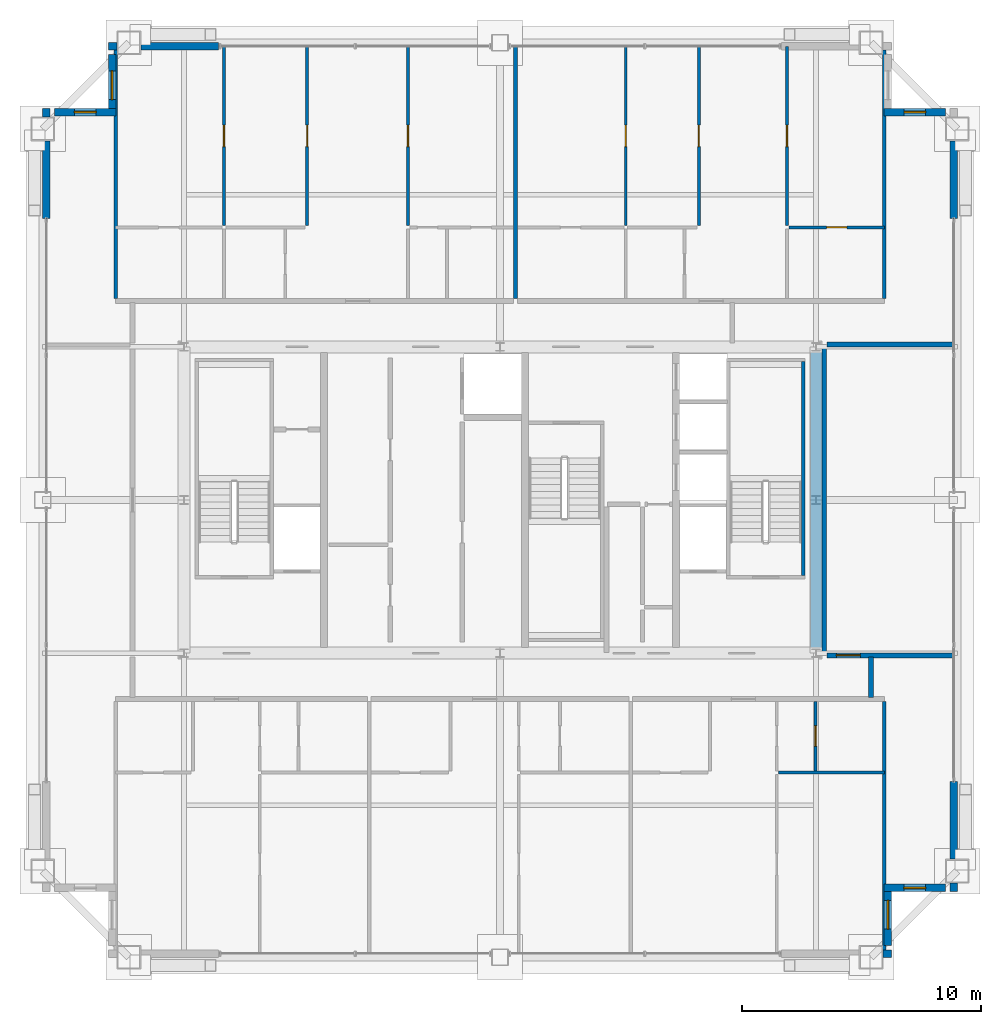
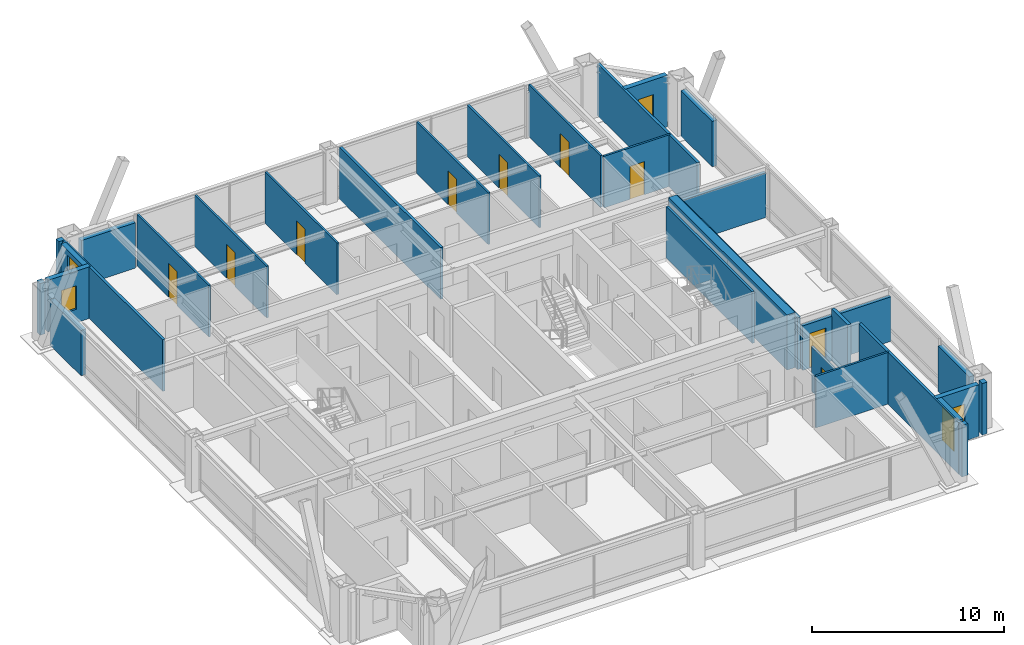
# One storey, part 33 of 35: 32 walls, 9 doors, 5 windows, 14 openings.
"""IFC4 building model written with IfcOpenShell, lengths in metres."""

from ifc_helpers import new_model, si_unit, direction, frame, frame_2d, origin, place, context, subcontext, project, spatial, rectangle, extrude, source, transform, mapped, material, layer, layer_set, type_object, element, fill, save


model = new_model("IFC4")

# Units and contexts
model_context = context("Model", 3, precision=1e-05, world=origin(), true_north=direction((0.0, 1.0)))
body_context = subcontext(model_context, "Body", "Model", "MODEL_VIEW")
ifc_project = project(units=[si_unit("LENGTHUNIT", "METRE"), si_unit("AREAUNIT", "SQUARE_METRE"), si_unit("VOLUMEUNIT", "CUBIC_METRE"), si_unit("PLANEANGLEUNIT", "RADIAN"), si_unit("MASSUNIT", "GRAM", prefix="KILO"), si_unit("THERMODYNAMICTEMPERATUREUNIT", "KELVIN"), si_unit("POWERUNIT", "WATT")], contexts=[model_context])

# Site, building, storey
site_placement = place(None, origin())
site = spatial("IfcSite", under=ifc_project, at=site_placement, CompositionType="ELEMENT")
building_placement = place(site_placement, origin())
building = spatial("IfcBuilding", under=site, at=building_placement, Name="Yuzanri Waterfront Tower", CompositionType="ELEMENT")
storey_placement = place(building_placement, frame((0.0, 0.0, 285.60009765625)))
storey = spatial("IfcBuildingStorey", under=building, at=storey_placement, Name="L76", CompositionType="ELEMENT", Elevation=285.60009765625)

# Wall, opening, door
ifc_material_1 = material(Name="Moisture-Resistant Gypsum Stud Wall", Category="gypsum")
ifc_layer_1 = layer(ifc_material_1, 0.1201171875)
ifc_layer_set_1 = layer_set([ifc_layer_1], Name="Moisture-Resistant Gypsum Stud Wall")
wall_type_1 = type_object("IfcWallType", Name="Bathroom and Kitchen Wet Partition 120", PredefinedType="PARTITIONING", material=ifc_layer_set_1)
wall_1_placement = place(storey_placement, frame((50.179931640625, 14.489990234375, 0.0), z_axis=(0.0, 0.0, 1.0), x_axis=(0.0, 1.0, 0.0)))
wall_1 = element("IfcWall", 1, at=wall_1_placement, inside=storey, type_object=wall_type_1, Name="L76 Partition UW-L76-HS3-SUB-2-W", PredefinedType="PARTITIONING", context=body_context, shape_type="SweptSolid", body=[
    extrude(rectangle(XDim=2.89990234375, YDim=0.1201171875, at=frame_2d((1.449951171875, 0.0))), origin(), (0.0, 0.0, 1.0), 2.824951171875),
])
opening_1_placement = place(wall_1_placement, frame((1.02490234375, 0.0, 0.0)))
opening_1 = element("IfcOpeningElement", 2, at=opening_1_placement, cuts=wall_1, Name="Opening ID-0850", PredefinedType="OPENING", context=body_context, shape_type="SweptSolid", body=[
    extrude(rectangle(XDim=0.85009765625, YDim=2.10009765625, at=frame_2d((0.425048828125, 1.050048828125))), frame((0.0, 0.074951171875, 0.0), z_axis=(0.0, -1.0, 0.0), x_axis=(1.0, 0.0, 0.0)), (0.0, 0.0, 1.0), 0.14990234375),
])
ifc_material_2 = material(Name="Moisture-Resistant Lacquered Timber", Category="wood")
door_type_1 = type_object("IfcDoorType", Name="En-Suite Bathroom and Kitchen Swing Door 850x2100", OperationType="NOTDEFINED", PredefinedType="DOOR", material=ifc_material_2)
shared_shape_1 = source(origin(), body_context, "Body", "SweptSolid", [
    extrude(rectangle(XDim=0.85009765625, YDim=2.10009765625, at=frame_2d((0.425048828125, 1.050048828125))), frame((0.0, 0.02490234375, 0.0), z_axis=(0.0, -1.0, 0.0), x_axis=(1.0, 0.0, 0.0)), (0.0, 0.0, 1.0), 0.050048828125),
])
door_1_placement = place(opening_1_placement, origin())
door_1 = element("IfcDoor", 3, at=door_1_placement, inside=storey, type_object=door_type_1, Name="L76 Suite Interior Room Door", OperationType="SINGLE_SWING_RIGHT", OverallHeight=2.10009765625, OverallWidth=0.85009765625, PredefinedType="DOOR", context=body_context, shape_type="MappedRepresentation", body=[
    mapped(shared_shape_1, transform((0.0, 0.0, 0.0), scale=1.0)),
])
fill(opening_1, door_1)

wall_2_placement = place(storey_placement, frame((25.469970703125, 37.27001953125, 0.0), z_axis=(0.0, 0.0, 1.0), x_axis=(0.0, 1.0, 0.0)))
wall_2 = element("IfcWall", 4, at=wall_2_placement, inside=storey, type_object=wall_type_1, Name="L76 Partition UW-L76-HN1-SUB-5-E", PredefinedType="PARTITIONING", context=body_context, shape_type="SweptSolid", body=[
    extrude(rectangle(XDim=7.47998046875, YDim=0.1201171875, at=frame_2d((3.739990234375, 0.0))), origin(), (0.0, 0.0, 1.0), 3.27978515625),
])
opening_2_placement = place(wall_2_placement, frame((3.2900390625, 0.0, 0.0)))
opening_2 = element("IfcOpeningElement", 5, at=opening_2_placement, cuts=wall_2, Name="Opening ID-0900", PredefinedType="OPENING", context=body_context, shape_type="SweptSolid", body=[
    extrude(rectangle(XDim=0.89990234375, YDim=2.14990234375, at=frame_2d((0.449951171875, 1.074951171875))), frame((0.0, 0.074951171875, 0.0), z_axis=(0.0, -1.0, 0.0), x_axis=(1.0, 0.0, 0.0)), (0.0, 0.0, 1.0), 0.14990234375),
])
ifc_material_3 = material(Name="Stained Walnut Veneer Timber", Category="wood")
door_type_2 = type_object("IfcDoorType", Name="Bedroom and Study Interior Swing Door 900x2150", OperationType="NOTDEFINED", PredefinedType="DOOR", material=ifc_material_3)
shared_shape_2 = source(origin(), body_context, "Body", "SweptSolid", [
    extrude(rectangle(XDim=0.89990234375, YDim=2.14990234375, at=frame_2d((0.449951171875, 1.074951171875))), frame((0.0, 0.02490234375, 0.0), z_axis=(0.0, -1.0, 0.0), x_axis=(1.0, 0.0, 0.0)), (0.0, 0.0, 1.0), 0.050048828125),
])
door_2_placement = place(opening_2_placement, origin())
door_2 = element("IfcDoor", 6, at=door_2_placement, inside=storey, type_object=door_type_2, Name="L76 Suite Interior Room Door", OperationType="SINGLE_SWING_RIGHT", OverallHeight=2.14990234375, OverallWidth=0.89990234375, PredefinedType="DOOR", context=body_context, shape_type="MappedRepresentation", body=[
    mapped(shared_shape_2, transform((0.0, 0.0, 0.0), scale=1.0)),
])
fill(opening_2, door_2)

wall_3_placement = place(storey_placement, frame((33.159912109375, 37.27001953125, 0.0), z_axis=(0.0, 0.0, 1.0), x_axis=(0.0, 1.0, 0.0)))
wall_3 = element("IfcWall", 7, at=wall_3_placement, inside=storey, type_object=wall_type_1, Name="L76 Partition UW-L76-HN1-SUB-6-W", PredefinedType="PARTITIONING", context=body_context, shape_type="SweptSolid", body=[
    extrude(rectangle(XDim=7.47998046875, YDim=0.1201171875, at=frame_2d((3.739990234375, 0.0))), origin(), (0.0, 0.0, 1.0), 3.27978515625),
])
opening_3_placement = place(wall_3_placement, frame((3.2900390625, 0.0, 0.0)))
opening_3 = element("IfcOpeningElement", 8, at=opening_3_placement, cuts=wall_3, Name="Opening ID-0900", PredefinedType="OPENING", context=body_context, shape_type="SweptSolid", body=[
    extrude(rectangle(XDim=0.89990234375, YDim=2.14990234375, at=frame_2d((0.449951171875, 1.074951171875))), frame((0.0, 0.074951171875, 0.0), z_axis=(0.0, -1.0, 0.0), x_axis=(1.0, 0.0, 0.0)), (0.0, 0.0, 1.0), 0.14990234375),
])
door_3_placement = place(opening_3_placement, origin())
door_3 = element("IfcDoor", 9, at=door_3_placement, inside=storey, type_object=door_type_2, Name="L76 Suite Interior Room Door", OperationType="SINGLE_SWING_LEFT", OverallHeight=2.14990234375, OverallWidth=0.89990234375, PredefinedType="DOOR", context=body_context, shape_type="MappedRepresentation", body=[
    mapped(shared_shape_2, transform((0.0, 0.0, 0.0), scale=1.0)),
])
fill(opening_3, door_3)

wall_4_placement = place(storey_placement, frame((28.943115234375, 37.27001953125, 0.0), z_axis=(0.0, 0.0, 1.0), x_axis=(0.0, 1.0, 0.0)))
wall_4 = element("IfcWall", 10, at=wall_4_placement, inside=storey, type_object=wall_type_1, Name="L76 Partition UW-L76-HN1-SUB-7-E", PredefinedType="PARTITIONING", context=body_context, shape_type="SweptSolid", body=[
    extrude(rectangle(XDim=7.47998046875, YDim=0.1201171875, at=frame_2d((3.739990234375, 0.0))), origin(), (0.0, 0.0, 1.0), 3.27978515625),
])
opening_4_placement = place(wall_4_placement, frame((3.2900390625, 0.0, 0.0)))
opening_4 = element("IfcOpeningElement", 11, at=opening_4_placement, cuts=wall_4, Name="Opening ID-0900", PredefinedType="OPENING", context=body_context, shape_type="SweptSolid", body=[
    extrude(rectangle(XDim=0.89990234375, YDim=2.14990234375, at=frame_2d((0.449951171875, 1.074951171875))), frame((0.0, 0.074951171875, 0.0), z_axis=(0.0, -1.0, 0.0), x_axis=(1.0, 0.0, 0.0)), (0.0, 0.0, 1.0), 0.14990234375),
])
door_4_placement = place(opening_4_placement, origin())
door_4 = element("IfcDoor", 12, at=door_4_placement, inside=storey, type_object=door_type_2, Name="L76 Suite Interior Room Door", OperationType="SINGLE_SWING_RIGHT", OverallHeight=2.14990234375, OverallWidth=0.89990234375, PredefinedType="DOOR", context=body_context, shape_type="MappedRepresentation", body=[
    mapped(shared_shape_2, transform((0.0, 0.0, 0.0), scale=1.0)),
])
fill(opening_4, door_4)

wall_5_placement = place(storey_placement, frame((49.072021484375, 37.18994140625, 0.0), z_axis=(0.0, 0.0, 1.0), x_axis=(1.0, 0.0, 0.0)))
wall_5 = element("IfcWall", 13, at=wall_5_placement, inside=storey, type_object=wall_type_1, Name="L76 Partition UW-L76-HN2-SUB-3-N", PredefinedType="PARTITIONING", context=body_context, shape_type="SweptSolid", body=[
    extrude(rectangle(XDim=3.988037109375, YDim=0.1201171875, at=frame_2d((1.994140625, 0.0))), origin(), (0.0, 0.0, 1.0), 3.27978515625),
])
opening_5_placement = place(wall_5_placement, frame((1.569091796875, 0.0, 0.0)))
opening_5 = element("IfcOpeningElement", 14, at=opening_5_placement, cuts=wall_5, Name="Opening ID-0850", PredefinedType="OPENING", context=body_context, shape_type="SweptSolid", body=[
    extrude(rectangle(XDim=0.85009765625, YDim=2.10009765625, at=frame_2d((0.425048828125, 1.050048828125))), frame((0.0, 0.074951171875, 0.0), z_axis=(0.0, -1.0, 0.0), x_axis=(1.0, 0.0, 0.0)), (0.0, 0.0, 1.0), 0.14990234375),
])
door_5_placement = place(opening_5_placement, origin())
door_5 = element("IfcDoor", 15, at=door_5_placement, inside=storey, type_object=door_type_1, Name="L76 Suite Interior Room Door", OperationType="SINGLE_SWING_RIGHT", OverallHeight=2.10009765625, OverallWidth=0.85009765625, PredefinedType="DOOR", context=body_context, shape_type="MappedRepresentation", body=[
    mapped(shared_shape_1, transform((0.0, 0.0, 0.0), scale=1.0)),
])
fill(opening_5, door_5)

wall_6_placement = place(storey_placement, frame((42.251953125, 37.27001953125, 0.0), z_axis=(0.0, 0.0, 1.0), x_axis=(0.0, 1.0, 0.0)))
wall_6 = element("IfcWall", 16, at=wall_6_placement, inside=storey, type_object=wall_type_1, Name="L76 Partition UW-L76-HN2-SUB-4-E", PredefinedType="PARTITIONING", context=body_context, shape_type="SweptSolid", body=[
    extrude(rectangle(XDim=7.47998046875, YDim=0.1201171875, at=frame_2d((3.739990234375, 0.0))), origin(), (0.0, 0.0, 1.0), 3.27978515625),
])
opening_6_placement = place(wall_6_placement, frame((3.2900390625, 0.0, 0.0)))
opening_6 = element("IfcOpeningElement", 17, at=opening_6_placement, cuts=wall_6, Name="Opening ID-0900", PredefinedType="OPENING", context=body_context, shape_type="SweptSolid", body=[
    extrude(rectangle(XDim=0.89990234375, YDim=2.14990234375, at=frame_2d((0.449951171875, 1.074951171875))), frame((0.0, 0.074951171875, 0.0), z_axis=(0.0, -1.0, 0.0), x_axis=(1.0, 0.0, 0.0)), (0.0, 0.0, 1.0), 0.14990234375),
])
door_6_placement = place(opening_6_placement, origin())
door_6 = element("IfcDoor", 18, at=door_6_placement, inside=storey, type_object=door_type_2, Name="L76 Suite Interior Room Door", OperationType="SINGLE_SWING_LEFT", OverallHeight=2.14990234375, OverallWidth=0.89990234375, PredefinedType="DOOR", context=body_context, shape_type="MappedRepresentation", body=[
    mapped(shared_shape_2, transform((0.0, 0.0, 0.0), scale=1.0)),
])
fill(opening_6, door_6)

wall_7_placement = place(storey_placement, frame((48.991943359375, 37.27001953125, 0.0), z_axis=(0.0, 0.0, 1.0), x_axis=(0.0, 1.0, 0.0)))
wall_7 = element("IfcWall", 19, at=wall_7_placement, inside=storey, type_object=wall_type_1, Name="L76 Partition UW-L76-HN2-SUB-5-W", PredefinedType="PARTITIONING", context=body_context, shape_type="SweptSolid", body=[
    extrude(rectangle(XDim=7.47998046875, YDim=0.1201171875, at=frame_2d((3.739990234375, 0.0))), origin(), (0.0, 0.0, 1.0), 3.27978515625),
])
opening_7_placement = place(wall_7_placement, frame((3.2900390625, 0.0, 0.0)))
opening_7 = element("IfcOpeningElement", 20, at=opening_7_placement, cuts=wall_7, Name="Opening ID-0900", PredefinedType="OPENING", context=body_context, shape_type="SweptSolid", body=[
    extrude(rectangle(XDim=0.89990234375, YDim=2.14990234375, at=frame_2d((0.449951171875, 1.074951171875))), frame((0.0, 0.074951171875, 0.0), z_axis=(0.0, -1.0, 0.0), x_axis=(1.0, 0.0, 0.0)), (0.0, 0.0, 1.0), 0.14990234375),
])
door_7_placement = place(opening_7_placement, origin())
door_7 = element("IfcDoor", 21, at=door_7_placement, inside=storey, type_object=door_type_2, Name="L76 Suite Interior Room Door", OperationType="SINGLE_SWING_RIGHT", OverallHeight=2.14990234375, OverallWidth=0.89990234375, PredefinedType="DOOR", context=body_context, shape_type="MappedRepresentation", body=[
    mapped(shared_shape_2, transform((0.0, 0.0, 0.0), scale=1.0)),
])
fill(opening_7, door_7)

wall_8_placement = place(storey_placement, frame((45.306884765625, 37.27001953125, 0.0), z_axis=(0.0, 0.0, 1.0), x_axis=(0.0, 1.0, 0.0)))
wall_8 = element("IfcWall", 22, at=wall_8_placement, inside=storey, type_object=wall_type_1, Name="L76 Partition UW-L76-HN2-SUB-6-E", PredefinedType="PARTITIONING", context=body_context, shape_type="SweptSolid", body=[
    extrude(rectangle(XDim=7.47998046875, YDim=0.1201171875, at=frame_2d((3.739990234375, 0.0))), origin(), (0.0, 0.0, 1.0), 3.27978515625),
])
opening_8_placement = place(wall_8_placement, frame((3.2900390625, 0.0, 0.0)))
opening_8 = element("IfcOpeningElement", 23, at=opening_8_placement, cuts=wall_8, Name="Opening ID-0900", PredefinedType="OPENING", context=body_context, shape_type="SweptSolid", body=[
    extrude(rectangle(XDim=0.89990234375, YDim=2.14990234375, at=frame_2d((0.449951171875, 1.074951171875))), frame((0.0, 0.074951171875, 0.0), z_axis=(0.0, -1.0, 0.0), x_axis=(1.0, 0.0, 0.0)), (0.0, 0.0, 1.0), 0.14990234375),
])
door_8_placement = place(opening_8_placement, origin())
door_8 = element("IfcDoor", 24, at=door_8_placement, inside=storey, type_object=door_type_2, Name="L76 Suite Interior Room Door", OperationType="SINGLE_SWING_LEFT", OverallHeight=2.14990234375, OverallWidth=0.89990234375, PredefinedType="DOOR", context=body_context, shape_type="MappedRepresentation", body=[
    mapped(shared_shape_2, transform((0.0, 0.0, 0.0), scale=1.0)),
])
fill(opening_8, door_8)

# Wall, opening, window
ifc_material_4 = material(Name="Honed Chongqing Dark Basalt Stone", Category="masonry")
ifc_layer_2 = layer(ifc_material_4, 0.300048828125)
ifc_layer_set_2 = layer_set([ifc_layer_2], Name="Honed Chongqing Dark Basalt Stone")
wall_type_2 = type_object("IfcWallType", Name="Bronze Rainscreen Insulated Spandrel Portal Wall 300", PredefinedType="SOLIDWALL", material=ifc_layer_set_2)
wall_9_placement = place(storey_placement, frame((53.050048828125, 9.60009765625, 0.0), z_axis=(0.0, 0.0, 1.0), x_axis=(1.0, 0.0, 0.0)))
wall_9 = element("IfcWall", 25, at=wall_9_placement, inside=storey, type_object=wall_type_2, Name="L76 Notched Corner Masonry Wall SE-X", PredefinedType="SOLIDWALL", context=body_context, shape_type="SweptSolid", body=[
    extrude(rectangle(XDim=2.550048828125, YDim=0.300048828125, at=frame_2d((1.27490234375, 0.0))), origin(), (0.0, 0.0, 1.0), 3.27978515625),
])
opening_9_placement = place(wall_9_placement, frame((0.824951171875, 0.0, 0.85009765625)))
opening_9 = element("IfcOpeningElement", 26, at=opening_9_placement, cuts=wall_9, Name="Opening WN-05", PredefinedType="OPENING", context=body_context, shape_type="SweptSolid", body=[
    extrude(rectangle(XDim=0.89990234375, YDim=1.5, at=frame_2d((0.449951171875, 0.75))), frame((0.0, 0.1650390625, 0.0), z_axis=(0.0, -1.0, 0.0), x_axis=(1.0, 0.0, 0.0)), (0.0, 0.0, 1.0), 0.329833984375),
])
ifc_material_5 = material(Name="Double-Silver Low-E Insulated Glass", Category="glass")
window_type_1 = type_object("IfcWindowType", Name="Anodized Bronze Service and Stairwell Smoke-Vent Window 900x1500", PartitioningType="SINGLE_PANEL", PredefinedType="WINDOW", material=ifc_material_5)
shared_shape_3 = source(origin(), body_context, "Body", "SweptSolid", [
    extrude(rectangle(XDim=0.89990234375, YDim=1.5, at=frame_2d((0.449951171875, 0.75))), frame((0.0, 0.030029296875, 0.0), z_axis=(0.0, -1.0, 0.0), x_axis=(1.0, 0.0, 0.0)), (0.0, 0.0, 1.0), 0.06005859375),
])
window_1_placement = place(opening_9_placement, origin())
window_1 = element("IfcWindow", 27, at=window_1_placement, inside=storey, type_object=window_type_1, Name="L76 Notched Corner Window SE-X", OverallHeight=1.5, OverallWidth=0.89990234375, PartitioningType="SINGLE_PANEL", PredefinedType="WINDOW", context=body_context, shape_type="MappedRepresentation", body=[
    mapped(shared_shape_3, transform((0.0, 0.0, 0.0), scale=1.0)),
])
fill(opening_9, window_1)

wall_10_placement = place(storey_placement, frame((53.199951171875, 7.199951171875, 0.0), z_axis=(0.0, 0.0, 1.0), x_axis=(0.0, 1.0, 0.0)))
wall_10 = element("IfcWall", 28, at=wall_10_placement, inside=storey, type_object=wall_type_2, Name="L76 Notched Corner Masonry Wall SE-Y", PredefinedType="SOLIDWALL", context=body_context, shape_type="SweptSolid", body=[
    extrude(rectangle(XDim=2.550048828125, YDim=0.300048828125, at=frame_2d((1.27490234375, 0.0))), origin(), (0.0, 0.0, 1.0), 3.27978515625),
])
opening_10_placement = place(wall_10_placement, frame((0.675048828125, 0.0, 0.85009765625)))
opening_10 = element("IfcOpeningElement", 29, at=opening_10_placement, cuts=wall_10, Name="Opening WN-02", PredefinedType="OPENING", context=body_context, shape_type="SweptSolid", body=[
    extrude(rectangle(XDim=1.199951171875, YDim=2.10009765625, at=frame_2d((0.60009765625, 1.050048828125))), frame((0.0, 0.1650390625, 0.0), z_axis=(0.0, -1.0, 0.0), x_axis=(1.0, 0.0, 0.0)), (0.0, 0.0, 1.0), 0.329833984375),
])
ifc_material_6 = material(Name="Double-Silver Low-E Insulated Glass", Category="glass")
window_type_2 = type_object("IfcWindowType", Name="Anodized Bronze Notched Corner Deep-Set Slot Window 1200x2100", PartitioningType="SINGLE_PANEL", PredefinedType="WINDOW", material=ifc_material_6)
shared_shape_4 = source(origin(), body_context, "Body", "SweptSolid", [
    extrude(rectangle(XDim=1.199951171875, YDim=2.10009765625, at=frame_2d((0.60009765625, 1.050048828125))), frame((0.0, 0.030029296875, 0.0), z_axis=(0.0, -1.0, 0.0), x_axis=(1.0, 0.0, 0.0)), (0.0, 0.0, 1.0), 0.06005859375),
])
window_2_placement = place(opening_10_placement, origin())
window_2 = element("IfcWindow", 30, at=window_2_placement, inside=storey, type_object=window_type_2, Name="L76 Notched Corner Window SE-Y", OverallHeight=2.10009765625, OverallWidth=1.199951171875, PartitioningType="SINGLE_PANEL", PredefinedType="WINDOW", context=body_context, shape_type="MappedRepresentation", body=[
    mapped(shared_shape_4, transform((0.0, 0.0, 0.0), scale=1.0)),
])
fill(opening_10, window_2)

wall_11_placement = place(storey_placement, frame((20.949951171875, 42.0, 0.0), z_axis=(0.0, 0.0, 1.0), x_axis=(-1.0, 0.0, 0.0)))
wall_11 = element("IfcWall", 31, at=wall_11_placement, inside=storey, type_object=wall_type_2, Name="L76 Notched Corner Masonry Wall NW-X", PredefinedType="SOLIDWALL", context=body_context, shape_type="SweptSolid", body=[
    extrude(rectangle(XDim=2.550048828125, YDim=0.300048828125, at=frame_2d((1.27490234375, 0.0))), origin(), (0.0, 0.0, 1.0), 3.27978515625),
])
opening_11_placement = place(wall_11_placement, frame((0.824951171875, 0.0, 0.85009765625)))
opening_11 = element("IfcOpeningElement", 32, at=opening_11_placement, cuts=wall_11, Name="Opening WN-05", PredefinedType="OPENING", context=body_context, shape_type="SweptSolid", body=[
    extrude(rectangle(XDim=0.89990234375, YDim=1.5, at=frame_2d((0.449951171875, 0.75))), frame((0.0, 0.1650390625, 0.0), z_axis=(0.0, -1.0, 0.0), x_axis=(1.0, 0.0, 0.0)), (0.0, 0.0, 1.0), 0.329833984375),
])
window_3_placement = place(opening_11_placement, origin())
window_3 = element("IfcWindow", 33, at=window_3_placement, inside=storey, type_object=window_type_1, Name="L76 Notched Corner Window NW-X", OverallHeight=1.5, OverallWidth=0.89990234375, PartitioningType="SINGLE_PANEL", PredefinedType="WINDOW", context=body_context, shape_type="MappedRepresentation", body=[
    mapped(shared_shape_3, transform((0.0, 0.0, 0.0), scale=1.0)),
])
fill(opening_11, window_3)

wall_12_placement = place(storey_placement, frame((20.800048828125, 44.39990234375, 0.0), z_axis=(0.0, 0.0, 1.0), x_axis=(0.0, -1.0, 0.0)))
wall_12 = element("IfcWall", 34, at=wall_12_placement, inside=storey, type_object=wall_type_2, Name="L76 Notched Corner Masonry Wall NW-Y", PredefinedType="SOLIDWALL", context=body_context, shape_type="SweptSolid", body=[
    extrude(rectangle(XDim=2.5498046875, YDim=0.300048828125, at=frame_2d((1.27490234375, 0.0))), origin(), (0.0, 0.0, 1.0), 3.27978515625),
])
opening_12_placement = place(wall_12_placement, frame((0.675048828125, 0.0, 0.85009765625)))
opening_12 = element("IfcOpeningElement", 35, at=opening_12_placement, cuts=wall_12, Name="Opening WN-02", PredefinedType="OPENING", context=body_context, shape_type="SweptSolid", body=[
    extrude(rectangle(XDim=1.199951171875, YDim=2.10009765625, at=frame_2d((0.60009765625, 1.050048828125))), frame((0.0, 0.1650390625, 0.0), z_axis=(0.0, -1.0, 0.0), x_axis=(1.0, 0.0, 0.0)), (0.0, 0.0, 1.0), 0.329833984375),
])
window_4_placement = place(opening_12_placement, origin())
window_4 = element("IfcWindow", 36, at=window_4_placement, inside=storey, type_object=window_type_2, Name="L76 Notched Corner Window NW-Y", OverallHeight=2.10009765625, OverallWidth=1.199951171875, PartitioningType="SINGLE_PANEL", PredefinedType="WINDOW", context=body_context, shape_type="MappedRepresentation", body=[
    mapped(shared_shape_4, transform((0.0, 0.0, 0.0), scale=1.0)),
])
fill(opening_12, window_4)

wall_13_placement = place(storey_placement, frame((55.60009765625, 42.0, 0.0), z_axis=(0.0, 0.0, 1.0), x_axis=(-1.0, 0.0, 0.0)))
wall_13 = element("IfcWall", 37, at=wall_13_placement, inside=storey, type_object=wall_type_2, Name="L76 Notched Corner Masonry Wall NE-X", PredefinedType="SOLIDWALL", context=body_context, shape_type="SweptSolid", body=[
    extrude(rectangle(XDim=2.550048828125, YDim=0.300048828125, at=frame_2d((1.27490234375, 0.0))), origin(), (0.0, 0.0, 1.0), 3.27978515625),
])
opening_13_placement = place(wall_13_placement, frame((0.824951171875, 0.0, 0.85009765625)))
opening_13 = element("IfcOpeningElement", 38, at=opening_13_placement, cuts=wall_13, Name="Opening WN-05", PredefinedType="OPENING", context=body_context, shape_type="SweptSolid", body=[
    extrude(rectangle(XDim=0.89990234375, YDim=1.5, at=frame_2d((0.449951171875, 0.75))), frame((0.0, 0.1650390625, 0.0), z_axis=(0.0, -1.0, 0.0), x_axis=(1.0, 0.0, 0.0)), (0.0, 0.0, 1.0), 0.329833984375),
])
window_5_placement = place(opening_13_placement, origin())
window_5 = element("IfcWindow", 39, at=window_5_placement, inside=storey, type_object=window_type_1, Name="L76 Notched Corner Window NE-X", OverallHeight=1.5, OverallWidth=0.89990234375, PartitioningType="SINGLE_PANEL", PredefinedType="WINDOW", context=body_context, shape_type="MappedRepresentation", body=[
    mapped(shared_shape_3, transform((0.0, 0.0, 0.0), scale=1.0)),
])
fill(opening_13, window_5)

# Wall, opening, door
ifc_material_7 = material(Name="Autoclaved Aerated Concrete Blockwork", Category="masonry")
ifc_layer_3 = layer(ifc_material_7, 0.199951171875)
ifc_layer_set_3 = layer_set([ifc_layer_3], Name="Autoclaved Aerated Concrete Blockwork")
wall_type_3 = type_object("IfcWallType", Name="Corridor and Unit Party Fire Wall 200", PredefinedType="PARTITIONING", material=ifc_layer_set_3)
wall_14_placement = place(storey_placement, frame((50.64990234375, 19.31005859375, 0.0), z_axis=(0.0, 0.0, 1.0), x_axis=(1.0, 0.0, 0.0)))
wall_14 = element("IfcWall", 40, at=wall_14_placement, inside=storey, type_object=wall_type_3, Name="L76 Partition UW-L76-051-CS", PredefinedType="PARTITIONING", context=body_context, shape_type="SweptSolid", body=[
    extrude(rectangle(XDim=5.300048828125, YDim=0.199951171875, at=frame_2d((2.64990234375, 0.0))), origin(), (0.0, 0.0, 1.0), 2.824951171875),
])
opening_14_placement = place(wall_14_placement, frame((0.39990234375, 0.0, 0.0)))
opening_14 = element("IfcOpeningElement", 41, at=opening_14_placement, cuts=wall_14, Name="Opening FD-1000", PredefinedType="OPENING", context=body_context, shape_type="SweptSolid", body=[
    extrude(rectangle(XDim=1.0, YDim=2.199951171875, at=frame_2d((0.5, 1.10009765625))), frame((0.0, 0.11474609375, 0.0), z_axis=(0.0, -1.0, 0.0), x_axis=(1.0, 0.0, 0.0)), (0.0, 0.0, 1.0), 0.229736328125),
])
ifc_material_8 = material(Name="Engineered Oak Fire-Rated Timber", Category="wood")
door_type_3 = type_object("IfcDoorType", Name="Guestroom and Apartment Entrance Fire Door 1000x2200", OperationType="NOTDEFINED", PredefinedType="DOOR", material=ifc_material_8)
shared_shape_5 = source(origin(), body_context, "Body", "SweptSolid", [
    extrude(rectangle(XDim=1.0, YDim=2.199951171875, at=frame_2d((0.5, 1.10009765625))), frame((0.0, 0.02490234375, 0.0), z_axis=(0.0, -1.0, 0.0), x_axis=(1.0, 0.0, 0.0)), (0.0, 0.0, 1.0), 0.050048828125),
])
door_9_placement = place(opening_14_placement, origin())
door_9 = element("IfcDoor", 42, at=door_9_placement, inside=storey, type_object=door_type_3, Name="L76 High-Rise E Horizon Club Room Entrance Door", OperationType="SINGLE_SWING_LEFT", OverallHeight=2.199951171875, OverallWidth=1.0, PredefinedType="DOOR", context=body_context, shape_type="MappedRepresentation", body=[
    mapped(shared_shape_5, transform((0.0, 0.0, 0.0), scale=1.0)),
])
fill(opening_14, door_9)

# Walls
ifc_material_9 = material(Name="Concrete C45", Category="concrete")
ifc_layer_4 = layer(ifc_material_9, 0.47998046875)
ifc_layer_set_4 = layer_set([ifc_layer_4], Name="Concrete C45")
wall_type_4 = type_object("IfcWallType", Name="Concrete C45 High-Rise Core Shear Wall 480", PredefinedType="SHEAR", material=ifc_layer_set_4)
shared_shape_6 = source(origin(), body_context, "Body", "SweptSolid", [
    extrude(rectangle(XDim=12.320068359375, YDim=0.47998046875, at=frame_2d((6.16015625, 0.0))), origin(), (0.0, 0.0, 1.0), 3.5),
])
wall_15_placement = place(storey_placement, frame((50.199951171875, 19.639892578125, 0.0), z_axis=(0.0, 0.0, 1.0), x_axis=(0.0, 1.0, 0.0)))
element("IfcWall", 43, at=wall_15_placement, inside=storey, type_object=wall_type_4, Name="L76 Core East Shear Wall", PredefinedType="SHEAR", context=body_context, shape_type="MappedRepresentation", body=[
    mapped(shared_shape_6, transform((0.0, 0.0, 0.0), scale=1.0)),
])
shared_shape_7 = source(origin(), body_context, "Body", "SweptSolid", [
    extrude(rectangle(XDim=0.35009765625, YDim=0.300048828125, at=frame_2d((0.175048828125, 0.0))), origin(), (0.0, 0.0, 1.0), 3.27978515625),
])
for number, where, z_axis, x_axis, name in (
    (44, (53.0, 6.85009765625, 0.0), (0.0, 0.0, 1.0), (1.0, 0.0, 0.0), "L76 Corner Column Shoulder Return CSE"),
    (45, (20.64990234375, 44.75, 0.0), (0.0, 0.0, 1.0), (1.0, 0.0, 0.0), "L76 Corner Column Shoulder Return CNW"),
    (46, (55.949951171875, 9.449951171875, 0.0), (0.0, 0.0, 1.0), (0.0, 1.0, 0.0), "L76 Corner Column Shoulder Return CES"),
):
    element("IfcWall", number, at=place(storey_placement, frame(where, z_axis=z_axis, x_axis=x_axis)), inside=storey, type_object=wall_type_2, Name=name, PredefinedType="SOLIDWALL", context=body_context, shape_type="MappedRepresentation", body=[
        mapped(shared_shape_7, transform((0.0, 0.0, 0.0), scale=1.0)),
    ])
shared_shape_8 = source(origin(), body_context, "Body", "SweptSolid", [
    extrude(rectangle(XDim=0.349853515625, YDim=0.300048828125, at=frame_2d((0.1748046875, 0.0))), origin(), (0.0, 0.0, 1.0), 3.27978515625),
])
wall_16_placement = place(storey_placement, frame((18.050048828125, 41.800048828125, 0.0), z_axis=(0.0, 0.0, 1.0), x_axis=(0.0, 1.0, 0.0)))
element("IfcWall", 47, at=wall_16_placement, inside=storey, type_object=wall_type_2, Name="L76 Corner Column Shoulder Return CWN", PredefinedType="SOLIDWALL", context=body_context, shape_type="MappedRepresentation", body=[
    mapped(shared_shape_8, transform((0.0, 0.0, 0.0), scale=1.0)),
])
shared_shape_9 = source(origin(), body_context, "Body", "SweptSolid", [
    extrude(rectangle(XDim=3.25, YDim=0.300048828125, at=frame_2d((1.625, 0.0))), origin(), (0.0, 0.0, 1.0), 2.885009765625),
])
for number, where, z_axis, x_axis, name in (
    (48, (22.0, 44.75, 0.0), (0.0, 0.0, 1.0), (1.0, 0.0, 0.0), "L76 N Left Braced Masonry Shoulder"),
    (49, (18.050048828125, 37.550048828125, 0.0), (0.0, 0.0, 1.0), (0.0, 1.0, 0.0), "L76 W Right Braced Masonry Shoulder"),
    (50, (55.949951171875, 10.800048828125, 0.0), (0.0, 0.0, 1.0), (0.0, 1.0, 0.0), "L76 E Left Braced Masonry Shoulder"),
    (51, (55.949951171875, 37.550048828125, 0.0), (0.0, 0.0, 1.0), (0.0, 1.0, 0.0), "L76 E Right Braced Masonry Shoulder"),
):
    element("IfcWall", number, at=place(storey_placement, frame(where, z_axis=z_axis, x_axis=x_axis)), inside=storey, type_object=wall_type_2, Name=name, PredefinedType="SOLIDWALL", context=body_context, shape_type="MappedRepresentation", body=[
        mapped(shared_shape_9, transform((0.0, 0.0, 0.0), scale=1.0)),
    ])
ifc_material_10 = material(Name="Concrete C40", Category="concrete")
ifc_layer_5 = layer(ifc_material_10, 0.139892578125)
ifc_layer_set_5 = layer_set([ifc_layer_5], Name="Concrete C40")
wall_type_5 = type_object("IfcWallType", Name="Core Stair Liner and Hoistway Shaft Wall 140", PredefinedType="SOLIDWALL", material=ifc_layer_set_5)
shared_shape_10 = source(origin(), body_context, "Body", "SweptSolid", [
    extrude(rectangle(XDim=8.940185546875, YDim=0.139892578125, at=frame_2d((4.47021484375, 0.0))), origin(), (0.0, 0.0, 1.0), 3.27978515625),
])
wall_17_placement = place(storey_placement, frame((49.669921875, 22.639892578125, 0.0), z_axis=(0.0, 0.0, 1.0), x_axis=(0.0, 1.0, 0.0)))
element("IfcWall", 52, at=wall_17_placement, inside=storey, type_object=wall_type_5, Name="L76 Stair ST-02 East Shaft Wall", PredefinedType="SOLIDWALL", context=body_context, shape_type="MappedRepresentation", body=[
    mapped(shared_shape_10, transform((0.0, 0.0, 0.0), scale=1.0)),
])
shared_shape_11 = source(origin(), body_context, "Body", "SweptSolid", [
    extrude(rectangle(XDim=1.699951171875, YDim=0.199951171875, at=frame_2d((0.85009765625, 0.0))), origin(), (0.0, 0.0, 1.0), 3.27978515625),
])
wall_18_placement = place(storey_placement, frame((52.5, 17.550048828125, 0.0), z_axis=(0.0, 0.0, 1.0), x_axis=(0.0, 1.0, 0.0)))
element("IfcWall", 53, at=wall_18_placement, inside=storey, type_object=wall_type_3, Name="L76 South Foyer East End Wall", PredefinedType="PARTITIONING", context=body_context, shape_type="MappedRepresentation", body=[
    mapped(shared_shape_11, transform((0.0, 0.0, 0.0), scale=1.0)),
])
shared_shape_12 = source(origin(), body_context, "Body", "SweptSolid", [
    extrude(rectangle(XDim=12.780029296875, YDim=0.199951171875, at=frame_2d((6.39013671875, 0.0))), origin(), (0.0, 0.0, 1.0), 3.27978515625),
])
wall_19_placement = place(storey_placement, frame((50.544921875, 19.409912109375, 0.0), z_axis=(0.0, 0.0, 1.0), x_axis=(0.0, 1.0, 0.0)))
element("IfcWall", 54, at=wall_19_placement, inside=storey, type_object=wall_type_3, Name="L76-051 Wing Inner Core-Side Wall", PredefinedType="PARTITIONING", context=body_context, shape_type="MappedRepresentation", body=[
    mapped(shared_shape_12, transform((0.0, 0.0, 0.0), scale=1.0)),
])
shared_shape_13 = source(origin(), body_context, "Body", "SweptSolid", [
    extrude(rectangle(XDim=4.41796875, YDim=0.1201171875, at=frame_2d((2.208984375, 0.0))), origin(), (0.0, 0.0, 1.0), 3.27978515625),
])
wall_20_placement = place(storey_placement, frame((48.64208984375, 14.409912109375, 0.0), z_axis=(0.0, 0.0, 1.0), x_axis=(1.0, 0.0, 0.0)))
element("IfcWall", 55, at=wall_20_placement, inside=storey, type_object=wall_type_1, Name="L76 Partition UW-L76-HS3-SUB-3-N", PredefinedType="PARTITIONING", context=body_context, shape_type="MappedRepresentation", body=[
    mapped(shared_shape_13, transform((0.0, 0.0, 0.0), scale=1.0)),
])
ifc_material_11 = material(Name="Gypsum Fireboard Acoustic Stud Wall", Category="gypsum")
ifc_layer_6 = layer(ifc_material_11, 0.159912109375)
ifc_layer_set_6 = layer_set([ifc_layer_6], Name="Gypsum Fireboard Acoustic Stud Wall")
wall_type_6 = type_object("IfcWallType", Name="Acoustic Suite Demising Partition 160", PredefinedType="PARTITIONING", material=ifc_layer_set_6)
shared_shape_14 = source(origin(), body_context, "Body", "SweptSolid", [
    extrude(rectangle(XDim=10.389892578125, YDim=0.159912109375, at=frame_2d((5.19482421875, 0.0))), origin(), (0.0, 0.0, 1.0), 3.27978515625),
])
wall_21_placement = place(storey_placement, frame((53.050048828125, 7.0, 0.0), z_axis=(0.0, 0.0, 1.0), x_axis=(0.0, 1.0, 0.0)))
element("IfcWall", 56, at=wall_21_placement, inside=storey, type_object=wall_type_6, Name="L76 South Band East End Wall", PredefinedType="PARTITIONING", context=body_context, shape_type="MappedRepresentation", body=[
    mapped(shared_shape_14, transform((0.0, 0.0, 0.0), scale=1.0)),
])
shared_shape_15 = source(origin(), body_context, "Body", "SweptSolid", [
    extrude(rectangle(XDim=10.5400390625, YDim=0.159912109375, at=frame_2d((5.27001953125, 0.0))), origin(), (0.0, 0.0, 1.0), 3.27978515625),
])
wall_22_placement = place(storey_placement, frame((37.64208984375, 34.2099609375, 0.0), z_axis=(0.0, 0.0, 1.0), x_axis=(0.0, 1.0, 0.0)))
element("IfcWall", 57, at=wall_22_placement, inside=storey, type_object=wall_type_6, Name="L76-HN1 Party Wall", PredefinedType="PARTITIONING", context=body_context, shape_type="MappedRepresentation", body=[
    mapped(shared_shape_15, transform((0.0, 0.0, 0.0), scale=1.0)),
])
shared_shape_16 = source(origin(), body_context, "Body", "SweptSolid", [
    extrude(rectangle(XDim=10.39013671875, YDim=0.159912109375, at=frame_2d((5.195068359375, 0.0))), origin(), (0.0, 0.0, 1.0), 3.27978515625),
])
for number, where, z_axis, x_axis, name in (
    (58, (20.949951171875, 34.2099609375, 0.0), (0.0, 0.0, 1.0), (0.0, 1.0, 0.0), "L76 North Band West End Wall"),
    (59, (53.050048828125, 34.2099609375, 0.0), (0.0, 0.0, 1.0), (0.0, 1.0, 0.0), "L76 North Band East End Wall"),
):
    element("IfcWall", number, at=place(storey_placement, frame(where, z_axis=z_axis, x_axis=x_axis)), inside=storey, type_object=wall_type_6, Name=name, PredefinedType="PARTITIONING", context=body_context, shape_type="MappedRepresentation", body=[
        mapped(shared_shape_16, transform((0.0, 0.0, 0.0), scale=1.0)),
    ])
shared_shape_17 = source(origin(), body_context, "Body", "SweptSolid", [
    extrude(rectangle(XDim=5.300048828125, YDim=0.199951171875, at=frame_2d((2.64990234375, 0.0))), origin(), (0.0, 0.0, 1.0), 2.824951171875),
])
wall_23_placement = place(storey_placement, frame((50.64990234375, 32.2900390625, 0.0), z_axis=(0.0, 0.0, 1.0), x_axis=(1.0, 0.0, 0.0)))
element("IfcWall", 60, at=wall_23_placement, inside=storey, type_object=wall_type_3, Name="L76-051 Wing North Wall", PredefinedType="PARTITIONING", context=body_context, shape_type="MappedRepresentation", body=[
    mapped(shared_shape_17, transform((0.0, 0.0, 0.0), scale=1.0)),
])

save(model, "model.ifc")
